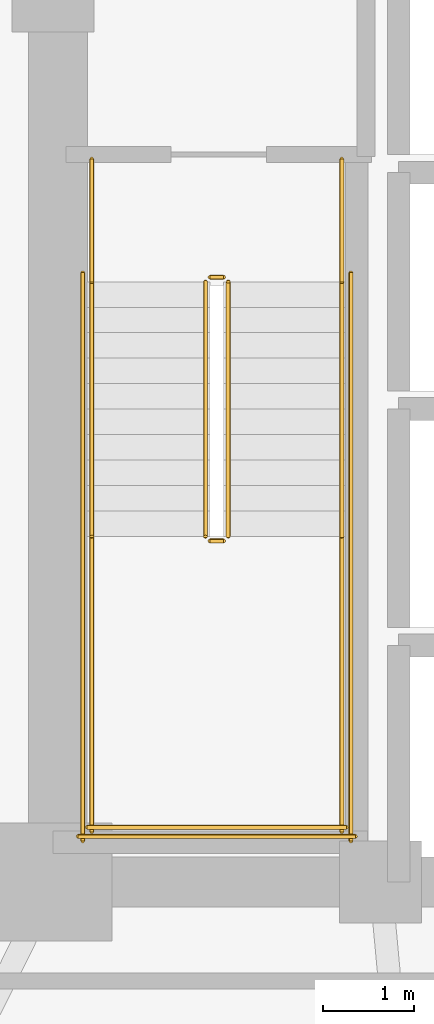
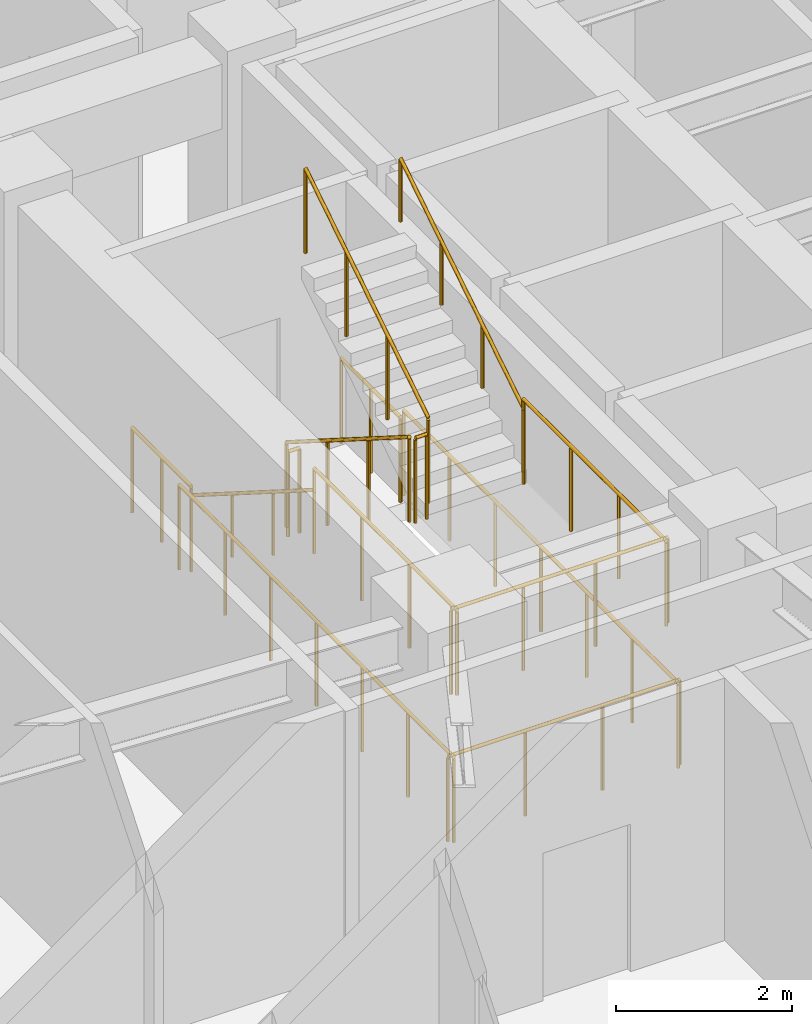
# One storey, part 11 of 13: 14 railings.
"""IFC4 building model written with IfcOpenShell, lengths in metres."""

from ifc_helpers import new_model, si_unit, direction, frame, origin, origin_2d, place, context, subcontext, project, spatial, circle, extrude, material, type_object, element, save


model = new_model("IFC4")

# Units and contexts
model_context = context("Model", 3, precision=1e-05, world=origin(), true_north=direction((0.0, 1.0)))
body_context = subcontext(model_context, "Body", "Model", "MODEL_VIEW")
ifc_project = project(units=[si_unit("LENGTHUNIT", "METRE"), si_unit("AREAUNIT", "SQUARE_METRE"), si_unit("VOLUMEUNIT", "CUBIC_METRE"), si_unit("PLANEANGLEUNIT", "RADIAN"), si_unit("MASSUNIT", "GRAM", prefix="KILO")], contexts=[model_context])

# Site, building, storey
site_placement = place(None, origin())
site = spatial("IfcSite", under=ifc_project, at=site_placement, CompositionType="ELEMENT")
building_placement = place(site_placement, origin())
building = spatial("IfcBuilding", under=site, at=building_placement, Name="Voryun Gate Residences", CompositionType="ELEMENT")
storey_placement = place(building_placement, frame((0.0, 0.0, 124.800048828125)))
storey = spatial("IfcBuildingStorey", under=building, at=storey_placement, Name="L30", CompositionType="ELEMENT", Elevation=124.800048828125)

# Railings
ifc_material_1 = material(Name="Painted steel", Category="steel")
railing_type_1 = type_object("IfcRailingType", Name="RAIL_STAIR_GUARD_1200", PredefinedType="GUARDRAIL", material=ifc_material_1)
railing_1_placement = place(storey_placement, frame((-17.52490234375, -0.800048828125, 0.17724609375)))
element("IfcRailing", 1, at=railing_1_placement, inside=storey, type_object=railing_type_1, Name="L30 ST-W1 stair guard 1", PredefinedType="GUARDRAIL", context=body_context, shape_type="SweptSolid", body=[
    extrude(circle(Radius=0.02392578125, at=origin_2d()), frame((0.0, 0.0, 1.17578125), z_axis=(0.0, -0.844908973607, 0.534910110503), x_axis=(1.0, 0.0, 0.0)), (0.0, 0.0, 1.0), 3.31396484375),
    extrude(circle(Radius=0.02099609375, at=origin_2d()), origin(), (0.0, 0.0, 1.0), 1.15185546875),
    extrude(circle(Radius=0.02099609375, at=origin_2d()), frame((0.0, -0.933349609375, 0.5908203125)), (0.0, 0.0, 1.0), 1.15185546875),
    extrude(circle(Radius=0.02099609375, at=origin_2d()), frame((0.0, -1.86669921875, 1.181884765625)), (0.0, 0.0, 1.0), 1.15185546875),
    extrude(circle(Radius=0.02099609375, at=origin_2d()), frame((0.0, -2.800048828125, 1.772705078125)), (0.0, 0.0, 1.0), 1.15185546875),
])
railing_2_placement = place(storey_placement, frame((-17.47509765625, -3.64990234375, 1.949951171875)))
element("IfcRailing", 2, at=railing_2_placement, inside=storey, type_object=railing_type_1, Name="L30 ST-W1 stair guard 2", PredefinedType="GUARDRAIL", context=body_context, shape_type="SweptSolid", body=[
    extrude(circle(Radius=0.02392578125, at=origin_2d()), frame((0.0, 0.0, 1.17578125), z_axis=(1.0, 0.0, 0.0), x_axis=(0.0, 1.0, 0.0)), (0.0, 0.0, 1.0), 0.150146484375),
    extrude(circle(Radius=0.02099609375, at=origin_2d()), origin(), (0.0, 0.0, 1.0), 1.15185546875),
    extrude(circle(Radius=0.02099609375, at=origin_2d()), frame((0.150146484375, 0.0, 0.0)), (0.0, 0.0, 1.0), 1.15185546875),
])
for number, where, name in (
    (3, (-18.77490234375, -3.60009765625, 1.949951171875), "L30 ST-W1 stair guard 3"),
    (4, (-16.02490234375, -3.60009765625, 1.949951171875), "L30 ST-W1 stair guard 4"),
):
    element("IfcRailing", number, at=place(storey_placement, frame(where)), inside=storey, type_object=railing_type_1, Name=name, PredefinedType="GUARDRAIL", context=body_context, shape_type="SweptSolid", body=[
        extrude(circle(Radius=0.02392578125, at=origin_2d()), frame((0.0, 0.0, 1.17578125), z_axis=(0.0, -1.0, 0.0), x_axis=(1.0, 0.0, 0.0)), (0.0, 0.0, 1.0), 3.25),
        extrude(circle(Radius=0.02099609375, at=origin_2d()), origin(), (0.0, 0.0, 1.0), 1.15185546875),
        extrude(circle(Radius=0.02099609375, at=origin_2d()), frame((0.0, -1.083251953125, 0.0)), (0.0, 0.0, 1.0), 1.15185546875),
        extrude(circle(Radius=0.02099609375, at=origin_2d()), frame((0.0, -2.166748046875, 0.0)), (0.0, 0.0, 1.0), 1.15185546875),
        extrude(circle(Radius=0.02099609375, at=origin_2d()), frame((0.0, -3.25, 0.0)), (0.0, 0.0, 1.0), 1.15185546875),
    ])
railing_3_placement = place(storey_placement, frame((-18.824951171875, -6.800048828125, 1.949951171875)))
element("IfcRailing", 5, at=railing_3_placement, inside=storey, type_object=railing_type_1, Name="L30 ST-W1 stair guard 5", PredefinedType="GUARDRAIL", context=body_context, shape_type="SweptSolid", body=[
    extrude(circle(Radius=0.02392578125, at=origin_2d()), frame((0.0, 0.0, 1.17578125), z_axis=(1.0, 0.0, 0.0), x_axis=(0.0, 1.0, 0.0)), (0.0, 0.0, 1.0), 2.849853515625),
    extrude(circle(Radius=0.02099609375, at=origin_2d()), origin(), (0.0, 0.0, 1.0), 1.15185546875),
    extrude(circle(Radius=0.02099609375, at=origin_2d()), frame((0.949951171875, 0.0, 0.0)), (0.0, 0.0, 1.0), 1.15185546875),
    extrude(circle(Radius=0.02099609375, at=origin_2d()), frame((1.89990234375, 0.0, 0.0)), (0.0, 0.0, 1.0), 1.15185546875),
    extrude(circle(Radius=0.02099609375, at=origin_2d()), frame((2.849853515625, 0.0, 0.0)), (0.0, 0.0, 1.0), 1.15185546875),
])
railing_4_placement = place(storey_placement, frame((-17.27490234375, -3.60009765625, 2.127197265625)))
element("IfcRailing", 6, at=railing_4_placement, inside=storey, type_object=railing_type_1, Name="L30 ST-W1 stair guard 6", PredefinedType="GUARDRAIL", context=body_context, shape_type="SweptSolid", body=[
    extrude(circle(Radius=0.02392578125, at=origin_2d()), frame((0.0, 0.0, 1.17578125), z_axis=(0.0, 0.844908973607, 0.534910110503), x_axis=(-1.0, 0.0, 0.0)), (0.0, 0.0, 1.0), 3.31396484375),
    extrude(circle(Radius=0.02099609375, at=origin_2d()), origin(), (0.0, 0.0, 1.0), 1.15185546875),
    extrude(circle(Radius=0.02099609375, at=origin_2d()), frame((0.0, 0.933349609375, 0.5908203125)), (0.0, 0.0, 1.0), 1.15185546875),
    extrude(circle(Radius=0.02099609375, at=origin_2d()), frame((0.0, 1.86669921875, 1.181884765625)), (0.0, 0.0, 1.0), 1.15185546875),
    extrude(circle(Radius=0.02099609375, at=origin_2d()), frame((0.0, 2.800048828125, 1.772705078125)), (0.0, 0.0, 1.0), 1.15185546875),
])
railing_5_placement = place(storey_placement, frame((-17.47509765625, -0.75, 0.0)))
element("IfcRailing", 7, at=railing_5_placement, inside=storey, type_object=railing_type_1, Name="L30 ST-W1 stair guard 7", PredefinedType="GUARDRAIL", context=body_context, shape_type="SweptSolid", body=[
    extrude(circle(Radius=0.02392578125, at=origin_2d()), frame((0.0, 0.0, 1.17578125), z_axis=(1.0, 0.0, 0.0), x_axis=(0.0, 1.0, 0.0)), (0.0, 0.0, 1.0), 0.150146484375),
    extrude(circle(Radius=0.02099609375, at=origin_2d()), origin(), (0.0, 0.0, 1.0), 1.15185546875),
    extrude(circle(Radius=0.02099609375, at=origin_2d()), frame((0.150146484375, 0.0, 0.0)), (0.0, 0.0, 1.0), 1.15185546875),
])
for number, where, name in (
    (8, (-18.77490234375, 0.550048828125, 0.0), "L30 ST-W1 stair guard 8"),
    (9, (-16.02490234375, 0.550048828125, 0.0), "L30 ST-W1 stair guard 9"),
):
    element("IfcRailing", number, at=place(storey_placement, frame(where)), inside=storey, type_object=railing_type_1, Name=name, PredefinedType="GUARDRAIL", context=body_context, shape_type="SweptSolid", body=[
        extrude(circle(Radius=0.02392578125, at=origin_2d()), frame((0.0, 0.0, 1.17578125), z_axis=(0.0, -1.0, 0.0), x_axis=(1.0, 0.0, 0.0)), (0.0, 0.0, 1.0), 1.35009765625),
        extrude(circle(Radius=0.02099609375, at=origin_2d()), origin(), (0.0, 0.0, 1.0), 1.15185546875),
        extrude(circle(Radius=0.02099609375, at=origin_2d()), frame((0.0, -0.675048828125, 0.0)), (0.0, 0.0, 1.0), 1.15185546875),
        extrude(circle(Radius=0.02099609375, at=origin_2d()), frame((0.0, -1.35009765625, 0.0)), (0.0, 0.0, 1.0), 1.15185546875),
    ])
for number, where, name in (
    (10, (-18.875, -0.699951171875, 0.0), "L30 ST-W1 stair guard 10"),
    (11, (-15.925048828125, -0.699951171875, 0.0), "L30 ST-W1 stair guard 11"),
):
    element("IfcRailing", number, at=place(storey_placement, frame(where)), inside=storey, type_object=railing_type_1, Name=name, PredefinedType="GUARDRAIL", context=body_context, shape_type="SweptSolid", body=[
        extrude(circle(Radius=0.02392578125, at=origin_2d()), frame((0.0, 0.0, 1.17578125), z_axis=(0.0, -1.0, 0.0), x_axis=(1.0, 0.0, 0.0)), (0.0, 0.0, 1.0), 6.25),
        extrude(circle(Radius=0.02099609375, at=origin_2d()), origin(), (0.0, 0.0, 1.0), 1.15185546875),
        extrude(circle(Radius=0.02099609375, at=origin_2d()), frame((0.0, -1.041748046875, 0.0)), (0.0, 0.0, 1.0), 1.15185546875),
        extrude(circle(Radius=0.02099609375, at=origin_2d()), frame((0.0, -2.083251953125, 0.0)), (0.0, 0.0, 1.0), 1.15185546875),
        extrude(circle(Radius=0.02099609375, at=origin_2d()), frame((0.0, -3.125, 0.0)), (0.0, 0.0, 1.0), 1.15185546875),
        extrude(circle(Radius=0.02099609375, at=origin_2d()), frame((0.0, -4.166748046875, 0.0)), (0.0, 0.0, 1.0), 1.15185546875),
        extrude(circle(Radius=0.02099609375, at=origin_2d()), frame((0.0, -5.208251953125, 0.0)), (0.0, 0.0, 1.0), 1.15185546875),
        extrude(circle(Radius=0.02099609375, at=origin_2d()), frame((0.0, -6.25, 0.0)), (0.0, 0.0, 1.0), 1.15185546875),
    ])
railing_6_placement = place(storey_placement, frame((-18.925048828125, -6.89990234375, 0.0)))
element("IfcRailing", 12, at=railing_6_placement, inside=storey, type_object=railing_type_1, Name="L30 ST-W1 stair guard 12", PredefinedType="GUARDRAIL", context=body_context, shape_type="SweptSolid", body=[
    extrude(circle(Radius=0.02392578125, at=origin_2d()), frame((0.0, 0.0, 1.17578125), z_axis=(1.0, 0.0, 0.0), x_axis=(0.0, 1.0, 0.0)), (0.0, 0.0, 1.0), 3.050048828125),
    extrude(circle(Radius=0.02099609375, at=origin_2d()), origin(), (0.0, 0.0, 1.0), 1.15185546875),
    extrude(circle(Radius=0.02099609375, at=origin_2d()), frame((1.0166015625, 0.0, 0.0)), (0.0, 0.0, 1.0), 1.15185546875),
    extrude(circle(Radius=0.02099609375, at=origin_2d()), frame((2.033447265625, 0.0, 0.0)), (0.0, 0.0, 1.0), 1.15185546875),
    extrude(circle(Radius=0.02099609375, at=origin_2d()), frame((3.050048828125, 0.0, 0.0)), (0.0, 0.0, 1.0), 1.15185546875),
])
ifc_material_2 = material(Name="Painted steel", Category="steel")
railing_type_2 = type_object("IfcRailingType", Name="RAIL_STAIR_HANDRAIL_900", PredefinedType="HANDRAIL", material=ifc_material_2)
railing_7_placement = place(storey_placement, frame((-18.77490234375, -0.800048828125, 0.17724609375)))
element("IfcRailing", 13, at=railing_7_placement, inside=storey, type_object=railing_type_2, Name="L30 ST-W1 stair handrail 1", PredefinedType="HANDRAIL", context=body_context, shape_type="SweptSolid", body=[
    extrude(circle(Radius=0.02392578125, at=origin_2d()), frame((0.0, 0.0, 0.8759765625), z_axis=(0.0, -0.844908973607, 0.534910110503), x_axis=(1.0, 0.0, 0.0)), (0.0, 0.0, 1.0), 3.31396484375),
    extrude(circle(Radius=0.02099609375, at=origin_2d()), origin(), (0.0, 0.0, 1.0), 0.851806640625),
    extrude(circle(Radius=0.02099609375, at=origin_2d()), frame((0.0, -0.933349609375, 0.5908203125)), (0.0, 0.0, 1.0), 0.851806640625),
    extrude(circle(Radius=0.02099609375, at=origin_2d()), frame((0.0, -1.86669921875, 1.181884765625)), (0.0, 0.0, 1.0), 0.851806640625),
    extrude(circle(Radius=0.02099609375, at=origin_2d()), frame((0.0, -2.800048828125, 1.772705078125)), (0.0, 0.0, 1.0), 0.851806640625),
])
railing_8_placement = place(storey_placement, frame((-16.02490234375, -3.60009765625, 2.127197265625)))
element("IfcRailing", 14, at=railing_8_placement, inside=storey, type_object=railing_type_2, Name="L30 ST-W1 stair handrail 2", PredefinedType="HANDRAIL", context=body_context, shape_type="SweptSolid", body=[
    extrude(circle(Radius=0.02392578125, at=origin_2d()), frame((0.0, 0.0, 0.8759765625), z_axis=(0.0, 0.844908973607, 0.534910110503), x_axis=(-1.0, 0.0, 0.0)), (0.0, 0.0, 1.0), 3.31396484375),
    extrude(circle(Radius=0.02099609375, at=origin_2d()), origin(), (0.0, 0.0, 1.0), 0.851806640625),
    extrude(circle(Radius=0.02099609375, at=origin_2d()), frame((0.0, 0.933349609375, 0.5908203125)), (0.0, 0.0, 1.0), 0.851806640625),
    extrude(circle(Radius=0.02099609375, at=origin_2d()), frame((0.0, 1.86669921875, 1.181884765625)), (0.0, 0.0, 1.0), 0.851806640625),
    extrude(circle(Radius=0.02099609375, at=origin_2d()), frame((0.0, 2.800048828125, 1.772705078125)), (0.0, 0.0, 1.0), 0.851806640625),
])

save(model, "model.ifc")
